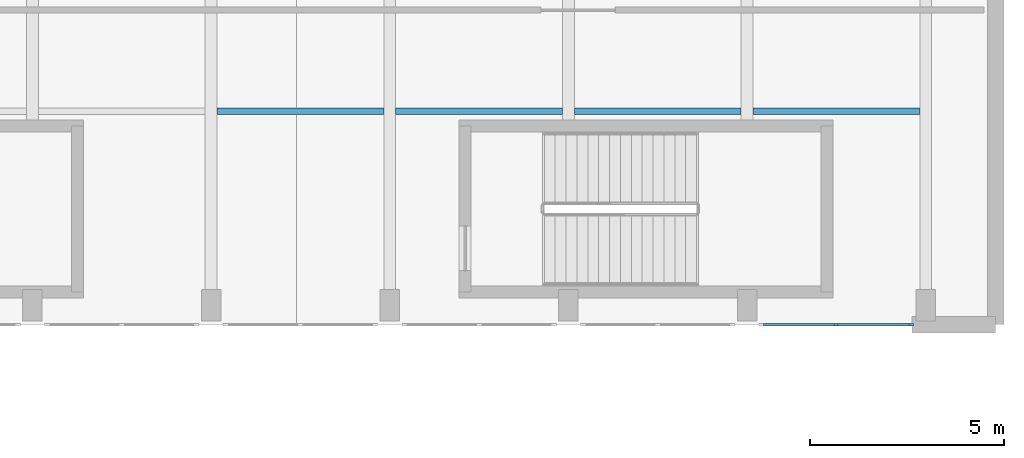
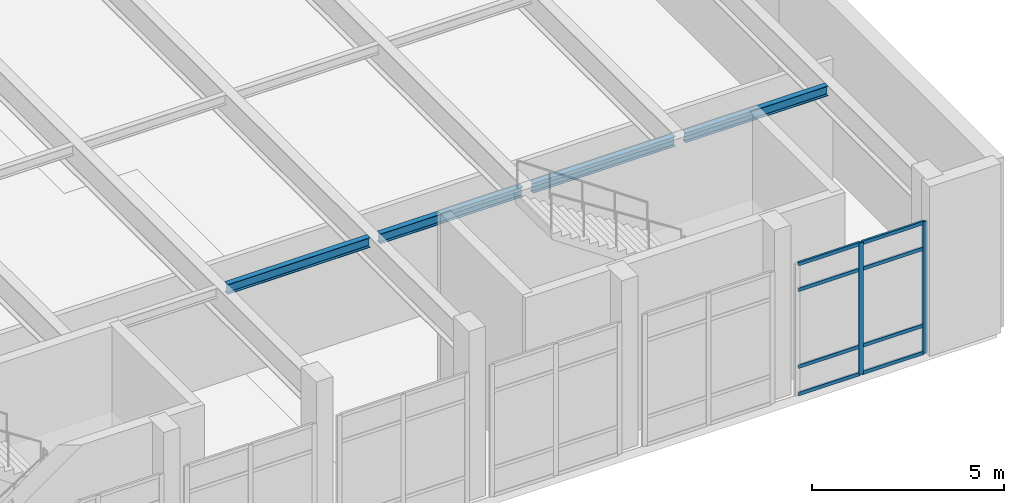
# One storey, part 39 of 84: 10 members, 4 beams, 1 element without a shape of its own.
"""IFC4 building model written with IfcOpenShell, lengths in metres."""

from ifc_helpers import new_model, si_unit, direction, frame, origin, origin_2d, place, context, subcontext, project, spatial, rectangle, i_section, extrude, material, layer, layer_set, material_profile, profile_set, type_object, element, aggregate, save


model = new_model("IFC4")

# Units and contexts
model_context = context("Model", 3, precision=1e-05, world=origin(), true_north=direction((0.0, 1.0)))
body_context = subcontext(model_context, "Body", "Model", "MODEL_VIEW")
ifc_project = project(units=[si_unit("LENGTHUNIT", "METRE"), si_unit("AREAUNIT", "SQUARE_METRE"), si_unit("VOLUMEUNIT", "CUBIC_METRE"), si_unit("PLANEANGLEUNIT", "RADIAN"), si_unit("MASSUNIT", "GRAM", prefix="KILO")], contexts=[model_context])

# Site, building, storey
site_placement = place(None, origin())
site = spatial("IfcSite", under=ifc_project, at=site_placement, CompositionType="ELEMENT")
building_placement = place(site_placement, origin())
building = spatial("IfcBuilding", under=site, at=building_placement, Name="Tlacozan Convention Centre", CompositionType="ELEMENT")
storey_placement = place(building_placement, frame((0.0, 0.0, 6.0)))
storey = spatial("IfcBuildingStorey", under=building, at=storey_placement, Name="L01", CompositionType="ELEMENT", Elevation=6.0)

# Curtain wall, members
ifc_material_1 = material(Name="Dark Bronze Anodised Aluminium", Category="aluminium")
ifc_layer = layer(ifc_material_1, 0.139892578125)
ifc_layer_set = layer_set([ifc_layer], Name="Dark Bronze Anodised Aluminium")
curtain_wall_type = type_object("IfcCurtainWallType", Name="Plenary Foyer L01 Curtain Wall CW11", PredefinedType="NOTDEFINED", material=ifc_layer_set)
curtain_wall_placement = place(storey_placement, origin())
curtain_wall = element("IfcCurtainWall", 1, at=curtain_wall_placement, inside=storey, type_object=curtain_wall_type, Name="L01 CW-11 Run 153", PredefinedType="NOTDEFINED")
ifc_material_profile_1 = material_profile(ifc_material_1, rectangle(XDim=0.06005859375, YDim=0.139892578125, at=origin_2d()), Name="ALU 60x140")
ifc_profile_set_1 = profile_set([ifc_material_profile_1], Name="Dark Bronze Anodised Aluminium")
member_type_1 = type_object("IfcMemberType", Name="Curtain Wall Light Mullion 60x140", PredefinedType="MULLION", material=ifc_profile_set_1)
member_1_placement = place(storey_placement, frame((175.89990234375, 18.0, 0.0), z_axis=(0.0, 0.0, 1.0), x_axis=(0.0, 1.0, 0.0)))
member_1 = element("IfcMember", 2, at=member_1_placement, type_object=member_type_1, Name="CW-11 mullion 2", PredefinedType="MULLION", context=body_context, shape_type="SweptSolid", body=[
    extrude(rectangle(XDim=0.06005859375, YDim=0.139892578125, at=origin_2d()), origin(), (0.0, 0.0, 1.0), 4.199951171875),
])
member_2_placement = place(storey_placement, frame((177.820068359375, 18.0, 0.0), z_axis=(0.0, 0.0, 1.0), x_axis=(0.0, 1.0, 0.0)))
member_2 = element("IfcMember", 3, at=member_2_placement, type_object=member_type_1, Name="CW-11 mullion 3", PredefinedType="MULLION", context=body_context, shape_type="SweptSolid", body=[
    extrude(rectangle(XDim=0.06005859375, YDim=0.139892578125, at=origin_2d()), origin(), (0.0, 0.0, 1.0), 4.199951171875),
])
ifc_material_profile_2 = material_profile(ifc_material_1, rectangle(XDim=0.06005859375, YDim=0.110107421875, at=origin_2d()), Name="ALU 60x110")
ifc_profile_set_2 = profile_set([ifc_material_profile_2], Name="Dark Bronze Anodised Aluminium")
member_type_2 = type_object("IfcMemberType", Name="Curtain Wall Light Transom 60x110", PredefinedType="USERDEFINED", material=ifc_profile_set_2)
member_3_placement = place(storey_placement, frame((174.010009765625, 18.0, 0.030029296875), z_axis=(1.0, 0.0, 0.0), x_axis=(0.0, 1.0, 0.0)))
member_3 = element("IfcMember", 4, at=member_3_placement, type_object=member_type_2, Name="CW-11 transom 1.1", ObjectType="TRANSOM", PredefinedType="USERDEFINED", context=body_context, shape_type="SweptSolid", body=[
    extrude(rectangle(XDim=0.06005859375, YDim=0.110107421875, at=origin_2d()), origin(), (0.0, 0.0, 1.0), 1.860107421875),
])
member_4_placement = place(storey_placement, frame((174.010009765625, 18.0, 0.89990234375), z_axis=(1.0, 0.0, 0.0), x_axis=(0.0, 1.0, 0.0)))
member_4 = element("IfcMember", 5, at=member_4_placement, type_object=member_type_2, Name="CW-11 transom 1.2", ObjectType="TRANSOM", PredefinedType="USERDEFINED", context=body_context, shape_type="SweptSolid", body=[
    extrude(rectangle(XDim=0.06005859375, YDim=0.110107421875, at=origin_2d()), origin(), (0.0, 0.0, 1.0), 1.860107421875),
])
member_5_placement = place(storey_placement, frame((174.010009765625, 18.0, 3.35009765625), z_axis=(1.0, 0.0, 0.0), x_axis=(0.0, 1.0, 0.0)))
member_5 = element("IfcMember", 6, at=member_5_placement, type_object=member_type_2, Name="CW-11 transom 1.3", ObjectType="TRANSOM", PredefinedType="USERDEFINED", context=body_context, shape_type="SweptSolid", body=[
    extrude(rectangle(XDim=0.06005859375, YDim=0.110107421875, at=origin_2d()), origin(), (0.0, 0.0, 1.0), 1.860107421875),
])
member_6_placement = place(storey_placement, frame((174.010009765625, 18.0, 4.169921875), z_axis=(1.0, 0.0, 0.0), x_axis=(0.0, 1.0, 0.0)))
member_6 = element("IfcMember", 7, at=member_6_placement, type_object=member_type_2, Name="CW-11 transom 1.4", ObjectType="TRANSOM", PredefinedType="USERDEFINED", context=body_context, shape_type="SweptSolid", body=[
    extrude(rectangle(XDim=0.06005859375, YDim=0.110107421875, at=origin_2d()), origin(), (0.0, 0.0, 1.0), 1.860107421875),
])
member_7_placement = place(storey_placement, frame((175.929931640625, 18.0, 0.030029296875), z_axis=(1.0, 0.0, 0.0), x_axis=(0.0, 1.0, 0.0)))
member_7 = element("IfcMember", 8, at=member_7_placement, type_object=member_type_2, Name="CW-11 transom 2.1", ObjectType="TRANSOM", PredefinedType="USERDEFINED", context=body_context, shape_type="SweptSolid", body=[
    extrude(rectangle(XDim=0.06005859375, YDim=0.110107421875, at=origin_2d()), origin(), (0.0, 0.0, 1.0), 1.860107421875),
])
member_8_placement = place(storey_placement, frame((175.929931640625, 18.0, 0.89990234375), z_axis=(1.0, 0.0, 0.0), x_axis=(0.0, 1.0, 0.0)))
member_8 = element("IfcMember", 9, at=member_8_placement, type_object=member_type_2, Name="CW-11 transom 2.2", ObjectType="TRANSOM", PredefinedType="USERDEFINED", context=body_context, shape_type="SweptSolid", body=[
    extrude(rectangle(XDim=0.06005859375, YDim=0.110107421875, at=origin_2d()), origin(), (0.0, 0.0, 1.0), 1.860107421875),
])
member_9_placement = place(storey_placement, frame((175.929931640625, 18.0, 3.35009765625), z_axis=(1.0, 0.0, 0.0), x_axis=(0.0, 1.0, 0.0)))
member_9 = element("IfcMember", 10, at=member_9_placement, type_object=member_type_2, Name="CW-11 transom 2.3", ObjectType="TRANSOM", PredefinedType="USERDEFINED", context=body_context, shape_type="SweptSolid", body=[
    extrude(rectangle(XDim=0.06005859375, YDim=0.110107421875, at=origin_2d()), origin(), (0.0, 0.0, 1.0), 1.860107421875),
])
member_10_placement = place(storey_placement, frame((175.929931640625, 18.0, 4.169921875), z_axis=(1.0, 0.0, 0.0), x_axis=(0.0, 1.0, 0.0)))
member_10 = element("IfcMember", 11, at=member_10_placement, type_object=member_type_2, Name="CW-11 transom 2.4", ObjectType="TRANSOM", PredefinedType="USERDEFINED", context=body_context, shape_type="SweptSolid", body=[
    extrude(rectangle(XDim=0.06005859375, YDim=0.110107421875, at=origin_2d()), origin(), (0.0, 0.0, 1.0), 1.860107421875),
])
aggregate(curtain_wall, [member_1, member_2, member_3, member_4, member_5, member_6, member_7, member_8, member_9, member_10])

# Beams
ifc_material_2 = material(Name="Steel ASTM A992 Grade 50", Category="steel")
ifc_material_profile_3 = material_profile(ifc_material_2, i_section(OverallWidth=0.1669921875, OverallDepth=0.31689453125, WebThickness=0.007568359375, FlangeThickness=0.01318359375, FilletRadius=0.010009765625, at=origin_2d()), Name="IR 305x52.2")
ifc_profile_set_3 = profile_set([ifc_material_profile_3], Name="Steel ASTM A992 Grade 50")
beam_type = type_object("IfcBeamType", Name="Secondary Joist IR 305x52.2", PredefinedType="JOIST", material=ifc_profile_set_3)
beam_1_placement = place(storey_placement, frame((159.951904296875, 23.5, 4.9814453125), z_axis=(1.0, 0.0, 0.0), x_axis=(0.0, 1.0, 0.0)))
element("IfcBeam", 12, at=beam_1_placement, inside=storey, type_object=beam_type, Name="L01 Secondary Joist IR 305x52.2 1611", PredefinedType="JOIST", context=body_context, shape_type="SweptSolid", body=[
    extrude(i_section(OverallWidth=0.1669921875, OverallDepth=0.31689453125, WebThickness=0.007568359375, FlangeThickness=0.01318359375, FilletRadius=0.010009765625, at=origin_2d()), origin(), (0.0, 0.0, 1.0), 4.296142578125),
])
for number, where, z_axis, x_axis, name in (
    (13, (164.552001953125, 23.5, 4.9814453125), (1.0, 0.0, 0.0), (0.0, 1.0, 0.0), "L01 Secondary Joist IR 305x52.2 1613"),
    (14, (169.152099609375, 23.5, 4.9814453125), (1.0, 0.0, 0.0), (0.0, 1.0, 0.0), "L01 Secondary Joist IR 305x52.2 1615"),
):
    element("IfcBeam", number, at=place(storey_placement, frame(where, z_axis=z_axis, x_axis=x_axis)), inside=storey, type_object=beam_type, Name=name, PredefinedType="JOIST", context=body_context, shape_type="SweptSolid", body=[
        extrude(i_section(OverallWidth=0.1669921875, OverallDepth=0.31689453125, WebThickness=0.007568359375, FlangeThickness=0.01318359375, FilletRadius=0.010009765625, at=origin_2d()), origin(), (0.0, 0.0, 1.0), 4.2958984375),
    ])
beam_2_placement = place(storey_placement, frame((173.751953125, 23.5, 4.9814453125), z_axis=(1.0, 0.0, 0.0), x_axis=(0.0, 1.0, 0.0)))
element("IfcBeam", 15, at=beam_2_placement, inside=storey, type_object=beam_type, Name="L01 Secondary Joist IR 305x52.2 1617", PredefinedType="JOIST", context=body_context, shape_type="SweptSolid", body=[
    extrude(i_section(OverallWidth=0.1669921875, OverallDepth=0.31689453125, WebThickness=0.007568359375, FlangeThickness=0.01318359375, FilletRadius=0.010009765625, at=origin_2d()), origin(), (0.0, 0.0, 1.0), 4.296142578125),
])

save(model, "model.ifc")
